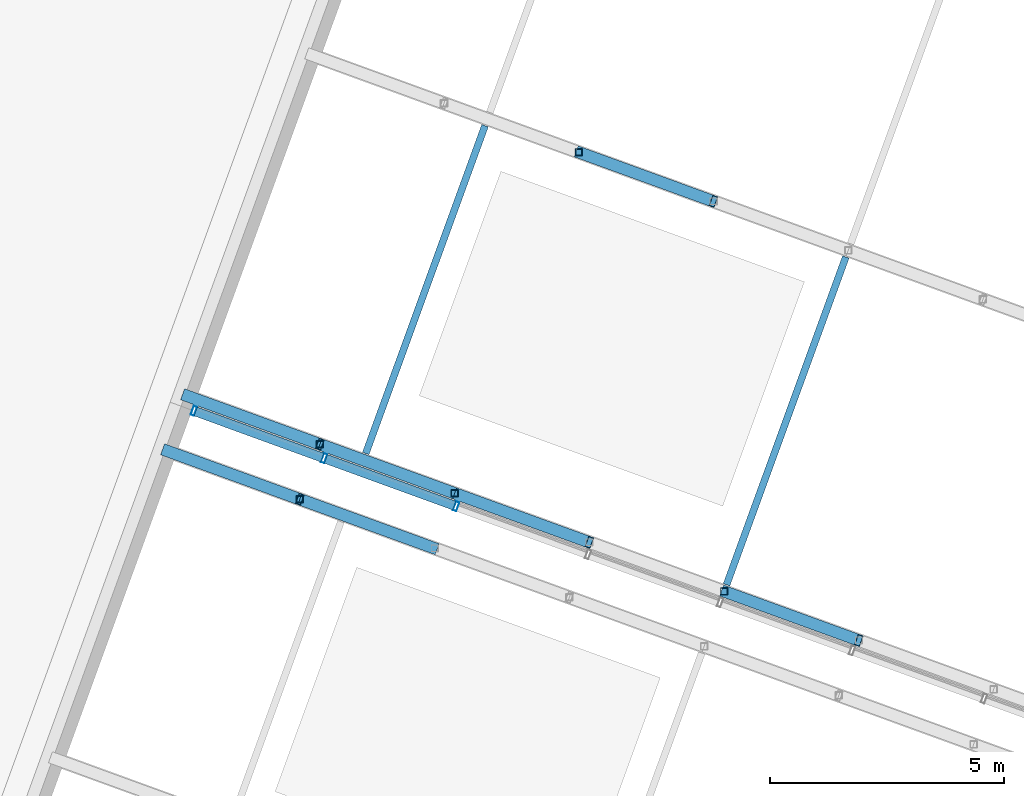
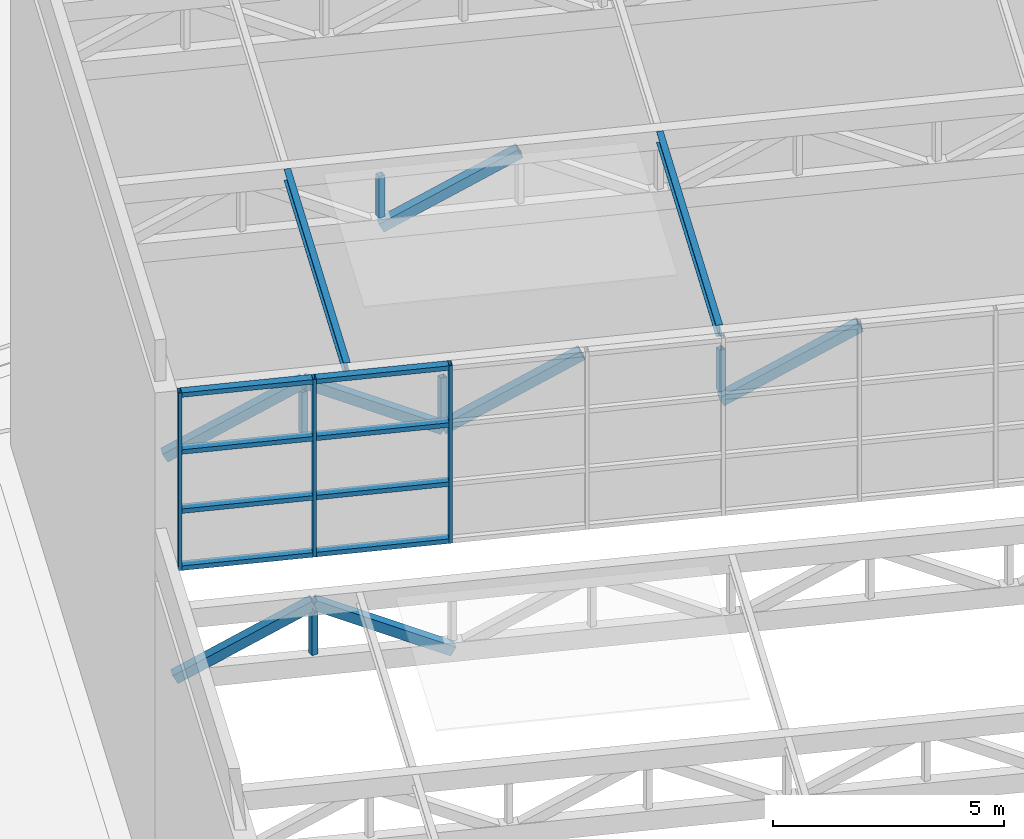
# One storey, part 37 of 72: 25 members, 1 element without a shape of its own.
"""IFC4 building model written with IfcOpenShell, lengths in metres."""

from ifc_helpers import new_model, si_unit, direction, frame, origin, origin_2d, place, context, subcontext, project, spatial, hollow_rectangle, i_section, extrude, material, layer, layer_set, material_profile, profile_set, type_object, element, aggregate, save


model = new_model("IFC4")

# Units and contexts
model_context = context("Model", 3, precision=1e-05, world=origin(), true_north=direction((0.0, 1.0)))
body_context = subcontext(model_context, "Body", "Model", "MODEL_VIEW")
ifc_project = project(units=[si_unit("LENGTHUNIT", "METRE"), si_unit("AREAUNIT", "SQUARE_METRE"), si_unit("VOLUMEUNIT", "CUBIC_METRE"), si_unit("PLANEANGLEUNIT", "RADIAN"), si_unit("MASSUNIT", "GRAM", prefix="KILO")], contexts=[model_context])

# Site, building, storey
site_placement = place(None, origin())
site = spatial("IfcSite", under=ifc_project, at=site_placement, CompositionType="ELEMENT")
building_placement = place(site_placement, origin())
building = spatial("IfcBuilding", under=site, at=building_placement, Name="Nzadi Deep Aquarium and Research Tower", CompositionType="ELEMENT")
storey_placement = place(building_placement, frame((0.0, 0.0, 31.89990234375)))
storey = spatial("IfcBuildingStorey", under=building, at=storey_placement, Name="L05", CompositionType="ELEMENT", Elevation=31.89990234375)

# Members
ifc_material_1 = material(Name="Steel S355", Category="steel")
ifc_material_profile_1 = material_profile(ifc_material_1, i_section(OverallWidth=0.14990234375, OverallDepth=0.300048828125, WebThickness=0.007080078125, FlangeThickness=0.0107421875, FilletRadius=0.014892578125, at=origin_2d()))
ifc_profile_set_1 = profile_set([ifc_material_profile_1], Name="Steel S355")
member_type_1 = type_object("IfcMemberType", Name="IPE 300", PredefinedType="PURLIN", material=ifc_profile_set_1)
for number, where, z_axis, x_axis, name in (
    (1, (21.2314453125, 73.38037109375, 13.650146484375), (0.341995648715, 0.939701535733, 0.0), (-0.939701535733, 0.341995648715, 0.0), "MB-PR-R2-PU1-1"),
    (2, (28.936767578125, 70.575927734375, 13.650146484375), (0.342024586087, 0.939691003741, 0.0), (-0.939691003741, 0.342024586087, 0.0), "MB-PR-R2-PU2-1"),
):
    element("IfcMember", number, at=place(storey_placement, frame(where, z_axis=z_axis, x_axis=x_axis)), inside=storey, type_object=member_type_1, Name=name, PredefinedType="PURLIN", context=body_context, shape_type="SweptSolid", body=[
        extrude(i_section(OverallWidth=0.14990234375, OverallDepth=0.300048828125, WebThickness=0.007080078125, FlangeThickness=0.0107421875, FilletRadius=0.014892578125, at=origin_2d()), origin(), (0.0, 0.0, 1.0), 7.449951171875),
    ])

# Curtain wall, members
ifc_material_2 = material(Name="Aluminium glazing frame tall", Category="aluminium")
ifc_layer = layer(ifc_material_2, 0.199951171875)
ifc_layer_set = layer_set([ifc_layer], Name="Aluminium glazing frame tall")
curtain_wall_type = type_object("IfcCurtainWallType", Name="Curtain wall Clerestory Tall 200", PredefinedType="NOTDEFINED", material=ifc_layer_set)
curtain_wall_placement = place(storey_placement, origin())
curtain_wall = element("IfcCurtainWall", 3, at=curtain_wall_placement, inside=storey, type_object=curtain_wall_type, Name="Prism clerestory glazing", PredefinedType="NOTDEFINED")
ifc_material_3 = material(Name="Aluminium glazing frame tall", Category="aluminium")
ifc_material_profile_2 = material_profile(ifc_material_3, hollow_rectangle(XDim=0.199951171875, YDim=0.080078125, WallThickness=0.0048828125, at=origin_2d()))
ifc_profile_set_2 = profile_set([ifc_material_profile_2], Name="Aluminium glazing frame tall")
member_type_2 = type_object("IfcMemberType", Name="Mullion 80x200 Clerestory Tall", PredefinedType="MULLION", material=ifc_profile_set_2)
member_1_placement = place(storey_placement, frame((17.561279296875, 74.29052734375, 9.10009765625), z_axis=(0.0, 0.0, 1.0), x_axis=(0.342020143326, 0.939692620786, 0.0)))
member_1 = element("IfcMember", 4, at=member_1_placement, type_object=member_type_2, Name="CW257 mullion 1", PredefinedType="MULLION", context=body_context, shape_type="SweptSolid", body=[
    extrude(hollow_rectangle(XDim=0.199951171875, YDim=0.080078125, WallThickness=0.0048828125, at=origin_2d()), origin(), (0.0, 0.0, 1.0), 4.699951171875),
])
member_2_placement = place(storey_placement, frame((20.3427734375, 73.278076171875, 9.10009765625), z_axis=(0.0, 0.0, 1.0), x_axis=(0.342020143326, 0.939692620786, 0.0)))
member_2 = element("IfcMember", 5, at=member_2_placement, type_object=member_type_2, Name="CW257 mullion 2", PredefinedType="MULLION", context=body_context, shape_type="SweptSolid", body=[
    extrude(hollow_rectangle(XDim=0.199951171875, YDim=0.080078125, WallThickness=0.0048828125, at=origin_2d()), origin(), (0.0, 0.0, 1.0), 4.699951171875),
])
member_3_placement = place(storey_placement, frame((23.161865234375, 72.252197265625, 9.10009765625), z_axis=(0.0, 0.0, 1.0), x_axis=(0.342020143326, 0.939692620786, 0.0)))
member_3 = element("IfcMember", 6, at=member_3_placement, type_object=member_type_2, Name="CW257 mullion 3", PredefinedType="MULLION", context=body_context, shape_type="SweptSolid", body=[
    extrude(hollow_rectangle(XDim=0.199951171875, YDim=0.080078125, WallThickness=0.0048828125, at=origin_2d()), origin(), (0.0, 0.0, 1.0), 4.699951171875),
])

# Members
ifc_material_4 = material(Name="Steel S355", Category="steel")
ifc_material_profile_3 = material_profile(ifc_material_4, hollow_rectangle(XDim=0.14990234375, YDim=0.14990234375, WallThickness=0.008056640625, at=origin_2d()))
ifc_profile_set_3 = profile_set([ifc_material_profile_3], Name="Steel S355")
member_type_3 = type_object("IfcMemberType", Name="RHS 150x150x8 post 2", PredefinedType="POST", material=ifc_profile_set_3)
for number, where, z_axis, x_axis, name in (
    (7, (19.824462890625, 72.402587890625, 7.2001953125), (0.0, 0.0, 1.0), (1.0, 0.0, 0.0), "MB-PR-R1-T3-V1"),
    (8, (20.252197265625, 73.5771484375, 12.2001953125), (0.0, 0.0, 1.0), (1.0, 0.0, 0.0), "MB-PR-R2-T1-V1"),
    (9, (23.1298828125, 72.52978515625, 12.2001953125), (0.0, 0.0, 1.0), (1.0, 0.0, 0.0), "MB-PR-R2-T1-V2"),
    (10, (28.885498046875, 70.434814453125, 12.2001953125), (0.0, 0.0, 1.0), (1.0, 0.0, 0.0), "MB-PR-R2-T1-V4"),
    (11, (25.780517578125, 79.8125, 12.2001953125), (0.0, 0.0, 1.0), (1.0, 0.0, 0.0), "MB-PR-R2-T2-V2"),
):
    element("IfcMember", number, at=place(storey_placement, frame(where, z_axis=z_axis, x_axis=x_axis)), inside=storey, type_object=member_type_3, Name=name, PredefinedType="POST", context=body_context, shape_type="SweptSolid", body=[
        extrude(hollow_rectangle(XDim=0.14990234375, YDim=0.14990234375, WallThickness=0.008056640625, at=origin_2d()), origin(), (0.0, 0.0, 1.0), 1.099853515625),
    ])
ifc_material_5 = material(Name="Steel S355", Category="steel")
ifc_material_profile_4 = material_profile(ifc_material_5, hollow_rectangle(XDim=0.25, YDim=0.25, WallThickness=0.01611328125, at=origin_2d()))
ifc_profile_set_4 = profile_set([ifc_material_profile_4], Name="Steel S355")
member_type_4 = type_object("IfcMemberType", Name="RHS 250x250x16 brace", PredefinedType="BRACE", material=ifc_profile_set_4)
member_4_placement = place(storey_placement, frame((16.94677734375, 73.449951171875, 6.9501953125), z_axis=(0.832885449393, -0.303137234062, 0.463043891564), x_axis=(0.342011896186, 0.939695622458, 0.0)))
element("IfcMember", 12, at=member_4_placement, inside=storey, type_object=member_type_4, Name="MB-PR-R1-T3-D1", PredefinedType="BRACE", context=body_context, shape_type="SweptSolid", body=[
    extrude(hollow_rectangle(XDim=0.25, YDim=0.25, WallThickness=0.01611328125, at=origin_2d()), origin(), (0.0, 0.0, 1.0), 3.455078125),
])
for number, where, z_axis, x_axis, name in (
    (13, (19.824462890625, 72.402587890625, 8.550048828125), (0.832907091186, -0.3031193944, -0.463016641376), (0.341986276019, 0.939704946786, 0.0), "MB-PR-R1-T3-D2"),
    (14, (17.374267578125, 74.624755859375, 11.9501953125), (0.832889250835, -0.30318355746, 0.463006723848), (0.342056666941, 0.939679326473, 0.0), "MB-PR-R2-T1-D1"),
):
    element("IfcMember", number, at=place(storey_placement, frame(where, z_axis=z_axis, x_axis=x_axis)), inside=storey, type_object=member_type_4, Name=name, PredefinedType="BRACE", context=body_context, shape_type="SweptSolid", body=[
        extrude(hollow_rectangle(XDim=0.25, YDim=0.25, WallThickness=0.01611328125, at=origin_2d()), origin(), (0.0, 0.0, 1.0), 3.455322265625),
    ])
member_5_placement = place(storey_placement, frame((20.252197265625, 73.5771484375, 13.550048828125), z_axis=(0.832885449393, -0.303137234062, -0.463043891564), x_axis=(0.342011896186, 0.939695622458, 0.0)))
element("IfcMember", 15, at=member_5_placement, inside=storey, type_object=member_type_4, Name="MB-PR-R2-T1-D2", PredefinedType="BRACE", context=body_context, shape_type="SweptSolid", body=[
    extrude(hollow_rectangle(XDim=0.25, YDim=0.25, WallThickness=0.01611328125, at=origin_2d()), origin(), (0.0, 0.0, 1.0), 3.455078125),
])
for number, where, z_axis, x_axis, name in (
    (16, (23.1298828125, 72.52978515625, 11.9501953125), (0.832907091186, -0.3031193944, 0.463016641376), (0.341986276019, 0.939704946786, 0.0), "MB-PR-R2-T1-D3"),
    (17, (28.885498046875, 70.434814453125, 11.9501953125), (0.832907091186, -0.3031193944, 0.463016641376), (0.341986276019, 0.939704946786, 0.0), "MB-PR-R2-T1-D5"),
    (18, (25.780517578125, 79.8125, 11.9501953125), (0.832889250835, -0.30318355746, 0.463006723848), (0.342056666941, 0.939679326473, 0.0), "MB-PR-R2-T2-D3"),
):
    element("IfcMember", number, at=place(storey_placement, frame(where, z_axis=z_axis, x_axis=x_axis)), inside=storey, type_object=member_type_4, Name=name, PredefinedType="BRACE", context=body_context, shape_type="SweptSolid", body=[
        extrude(hollow_rectangle(XDim=0.25, YDim=0.25, WallThickness=0.01611328125, at=origin_2d()), origin(), (0.0, 0.0, 1.0), 3.455322265625),
    ])

# Member
ifc_material_6 = material(Name="Aluminium glazing frame tall", Category="aluminium")
ifc_material_profile_5 = material_profile(ifc_material_6, hollow_rectangle(XDim=0.199951171875, YDim=0.1201171875, WallThickness=0.0048828125, at=origin_2d()))
ifc_profile_set_5 = profile_set([ifc_material_profile_5], Name="Aluminium glazing frame tall")
member_type_5 = type_object("IfcMemberType", Name="Transom 120x200 Clerestory Tall", PredefinedType="MULLION", material=ifc_profile_set_5)
member_6_placement = place(storey_placement, frame((17.598876953125, 74.27685546875, 9.16015625), z_axis=(0.939681996159, -0.342049332837, 0.0), x_axis=(0.342049332837, 0.939681996159, 0.0)))
member_6 = element("IfcMember", 19, at=member_6_placement, type_object=member_type_5, Name="CW257 transom 1.1", PredefinedType="MULLION", context=body_context, shape_type="SweptSolid", body=[
    extrude(hollow_rectangle(XDim=0.199951171875, YDim=0.1201171875, WallThickness=0.0048828125, at=origin_2d()), origin(), (0.0, 0.0, 1.0), 2.880126953125),
])

member_7_placement = place(storey_placement, frame((17.598876953125, 74.27685546875, 10.6669921875), z_axis=(0.939681996159, -0.342049332837, 0.0), x_axis=(0.342049332837, 0.939681996159, 0.0)))
member_7 = element("IfcMember", 20, at=member_7_placement, type_object=member_type_5, Name="CW257 transom 1.2", PredefinedType="MULLION", context=body_context, shape_type="SweptSolid", body=[
    extrude(hollow_rectangle(XDim=0.199951171875, YDim=0.1201171875, WallThickness=0.0048828125, at=origin_2d()), origin(), (0.0, 0.0, 1.0), 2.880126953125),
])

member_8_placement = place(storey_placement, frame((17.598876953125, 74.27685546875, 12.233154296875), z_axis=(0.939681996159, -0.342049332837, 0.0), x_axis=(0.342049332837, 0.939681996159, 0.0)))
member_8 = element("IfcMember", 21, at=member_8_placement, type_object=member_type_5, Name="CW257 transom 1.3", PredefinedType="MULLION", context=body_context, shape_type="SweptSolid", body=[
    extrude(hollow_rectangle(XDim=0.199951171875, YDim=0.1201171875, WallThickness=0.0048828125, at=origin_2d()), origin(), (0.0, 0.0, 1.0), 2.880126953125),
])

member_9_placement = place(storey_placement, frame((17.598876953125, 74.27685546875, 13.739990234375), z_axis=(0.939681996159, -0.342049332837, 0.0), x_axis=(0.342049332837, 0.939681996159, 0.0)))
member_9 = element("IfcMember", 22, at=member_9_placement, type_object=member_type_5, Name="CW257 transom 1.4", PredefinedType="MULLION", context=body_context, shape_type="SweptSolid", body=[
    extrude(hollow_rectangle(XDim=0.199951171875, YDim=0.1201171875, WallThickness=0.0048828125, at=origin_2d()), origin(), (0.0, 0.0, 1.0), 2.880126953125),
])

member_10_placement = place(storey_placement, frame((20.38037109375, 73.264404296875, 9.16015625), z_axis=(0.939710394507, -0.34197130648, 0.0), x_axis=(0.34197130648, 0.939710394507, 0.0)))
member_10 = element("IfcMember", 23, at=member_10_placement, type_object=member_type_5, Name="CW257 transom 2.1", PredefinedType="MULLION", context=body_context, shape_type="SweptSolid", body=[
    extrude(hollow_rectangle(XDim=0.199951171875, YDim=0.1201171875, WallThickness=0.0048828125, at=origin_2d()), origin(), (0.0, 0.0, 1.0), 2.919921875),
])

member_11_placement = place(storey_placement, frame((20.38037109375, 73.264404296875, 10.6669921875), z_axis=(0.939710394507, -0.34197130648, 0.0), x_axis=(0.34197130648, 0.939710394507, 0.0)))
member_11 = element("IfcMember", 24, at=member_11_placement, type_object=member_type_5, Name="CW257 transom 2.2", PredefinedType="MULLION", context=body_context, shape_type="SweptSolid", body=[
    extrude(hollow_rectangle(XDim=0.199951171875, YDim=0.1201171875, WallThickness=0.0048828125, at=origin_2d()), origin(), (0.0, 0.0, 1.0), 2.919921875),
])

member_12_placement = place(storey_placement, frame((20.38037109375, 73.264404296875, 12.233154296875), z_axis=(0.939710394507, -0.34197130648, 0.0), x_axis=(0.34197130648, 0.939710394507, 0.0)))
member_12 = element("IfcMember", 25, at=member_12_placement, type_object=member_type_5, Name="CW257 transom 2.3", PredefinedType="MULLION", context=body_context, shape_type="SweptSolid", body=[
    extrude(hollow_rectangle(XDim=0.199951171875, YDim=0.1201171875, WallThickness=0.0048828125, at=origin_2d()), origin(), (0.0, 0.0, 1.0), 2.919921875),
])

member_13_placement = place(storey_placement, frame((20.38037109375, 73.264404296875, 13.739990234375), z_axis=(0.939710394507, -0.34197130648, 0.0), x_axis=(0.34197130648, 0.939710394507, 0.0)))
member_13 = element("IfcMember", 26, at=member_13_placement, type_object=member_type_5, Name="CW257 transom 2.4", PredefinedType="MULLION", context=body_context, shape_type="SweptSolid", body=[
    extrude(hollow_rectangle(XDim=0.199951171875, YDim=0.1201171875, WallThickness=0.0048828125, at=origin_2d()), origin(), (0.0, 0.0, 1.0), 2.919921875),
])

aggregate(curtain_wall, [member_1, member_2, member_3, member_6, member_7, member_8, member_9, member_10, member_11, member_12, member_13])

save(model, "model.ifc")
